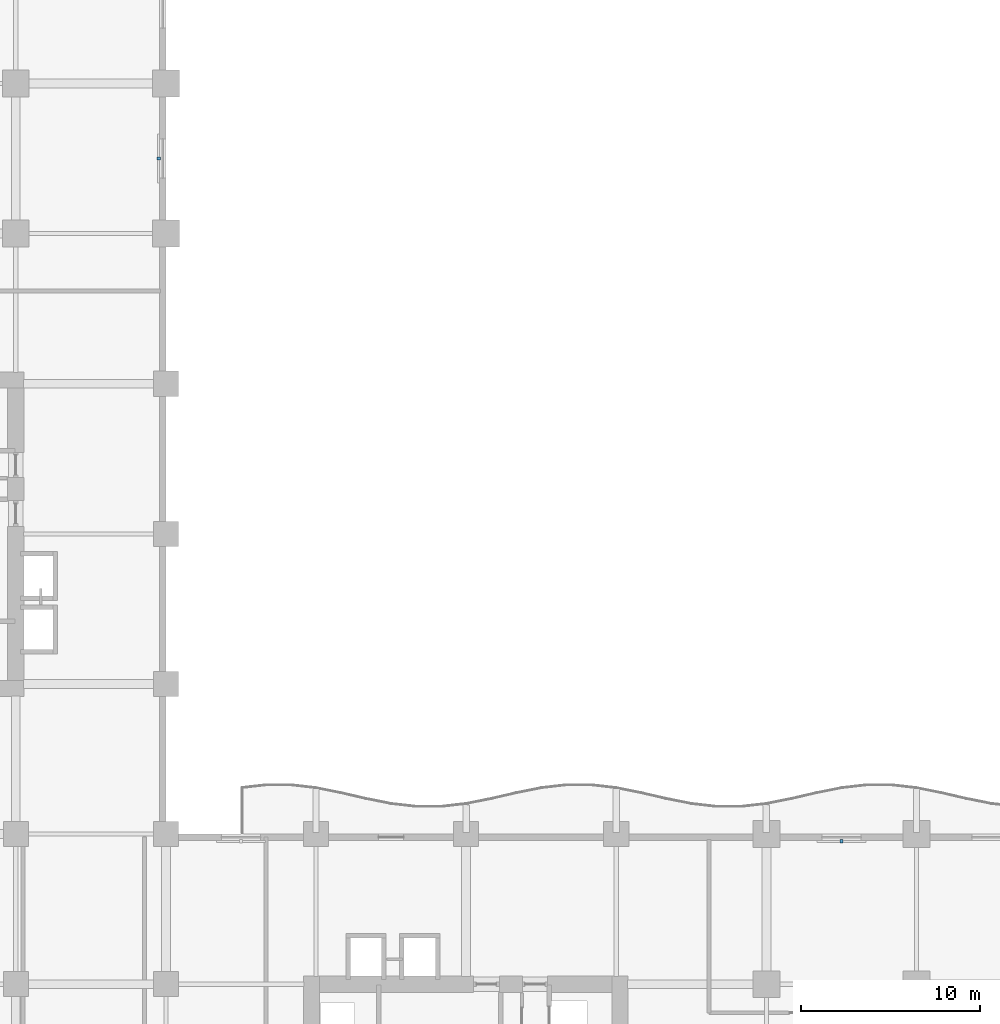
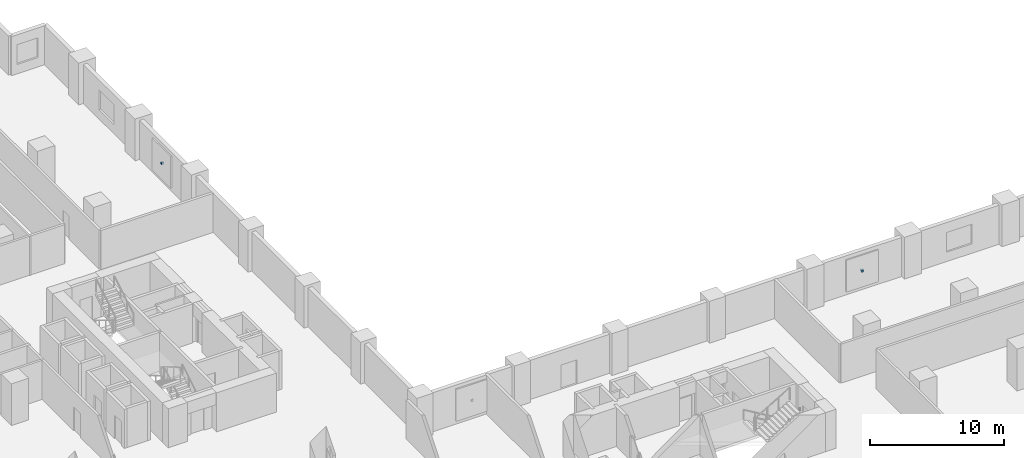
# One storey, part 16 of 20: 2 discrete accessories.
"""IFC4 building model written with IfcOpenShell, lengths in metres."""

from ifc_helpers import new_model, si_unit, direction, frame, origin, origin_2d, place, context, subcontext, project, spatial, rectangle, extrude, material, type_object, element, save


model = new_model("IFC4")

# Units and contexts
model_context = context("Model", 3, precision=1e-05, world=origin(), true_north=direction((0.0, 1.0)))
body_context = subcontext(model_context, "Body", "Model", "MODEL_VIEW")
ifc_project = project(units=[si_unit("LENGTHUNIT", "METRE"), si_unit("AREAUNIT", "SQUARE_METRE"), si_unit("VOLUMEUNIT", "CUBIC_METRE"), si_unit("PLANEANGLEUNIT", "RADIAN"), si_unit("MASSUNIT", "GRAM", prefix="KILO")], contexts=[model_context])

# Site, building, storey
site_placement = place(None, origin())
site = spatial("IfcSite", under=ifc_project, at=site_placement, CompositionType="ELEMENT")
building_placement = place(site_placement, origin())
building = spatial("IfcBuilding", under=site, at=building_placement, Name="Koriwani Terraces Tower", CompositionType="ELEMENT")
storey_placement = place(building_placement, frame((0.0, 0.0, 66.199951171875)))
storey = spatial("IfcBuildingStorey", under=building, at=storey_placement, Name="L15", CompositionType="ELEMENT", Elevation=66.199951171875)

# Discrete accessories
ifc_material = material(Name="Steel ASTM A572 Grade 50", Category="steel")
discrete_accessory_type = type_object("IfcDiscreteAccessoryType", Name="BAGUETTE_STANDOFF_BRACKET", PredefinedType="BRACKET", material=ifc_material)
for number, where, z_axis, x_axis, name in (
    (1, (33.2099609375, 71.39990234375, 1.68505859375), (0.0, 0.0, 1.0), (0.0, -1.0, 0.0), "L15 Terracotta Baguette Bracket (NW_IN-14)"),
    (2, (71.39990234375, 33.2099609375, 1.68505859375), (0.0, 0.0, 1.0), (1.0, 0.0, 0.0), "L15 Terracotta Baguette Bracket (NE-14)"),
):
    element("IfcDiscreteAccessory", number, at=place(storey_placement, frame(where, z_axis=z_axis, x_axis=x_axis)), inside=storey, type_object=discrete_accessory_type, Name=name, PredefinedType="BRACKET", context=body_context, shape_type="SweptSolid", body=[
        extrude(rectangle(XDim=0.159912109375, YDim=0.199951171875, at=origin_2d()), origin(), (0.0, 0.0, 1.0), 0.179931640625),
    ])

save(model, "model.ifc")
